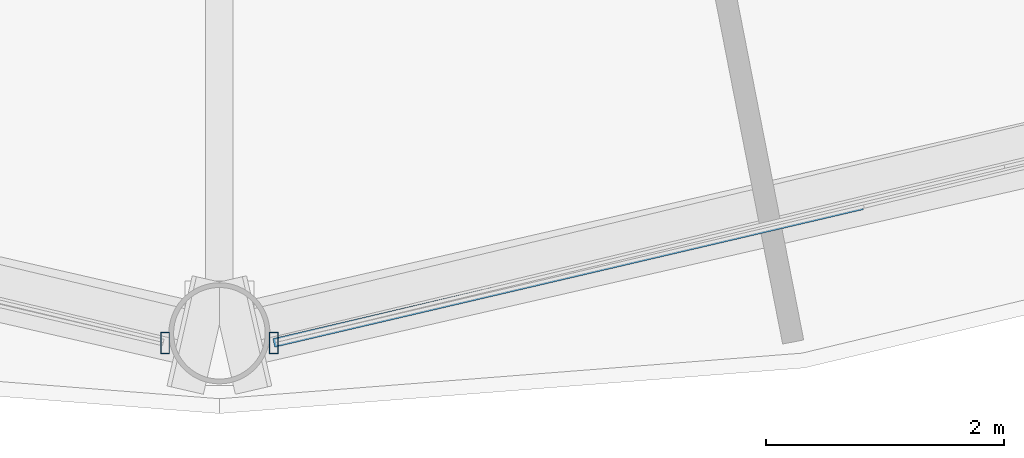
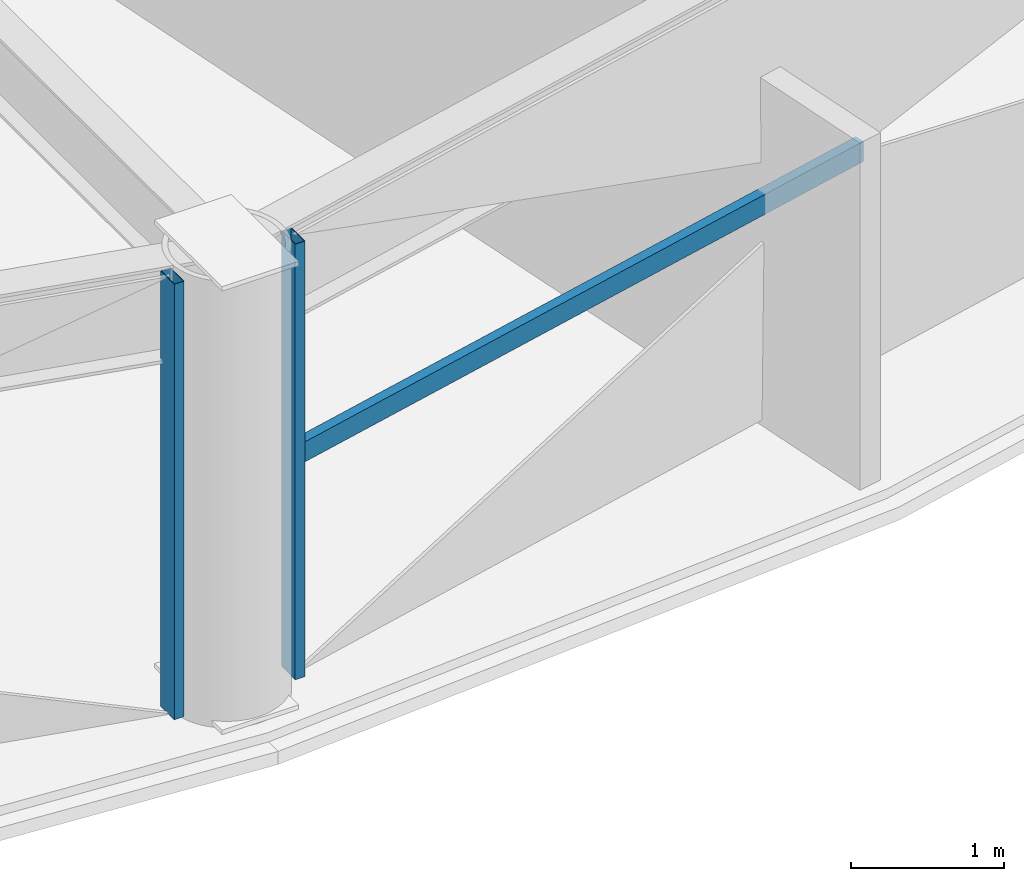
# One storey, part 4 of 33: 3 members, 2 elements without a shape of their own.
"""IFC4 building model written with IfcOpenShell, lengths in metres."""

from ifc_helpers import new_model, si_unit, direction, frame, origin, origin_2d, place, context, subcontext, project, spatial, hollow_rectangle, extrude, material, layer, layer_set, material_profile, profile_set, type_object, element, aggregate, save


model = new_model("IFC4")

# Units and contexts
model_context = context("Model", 3, precision=1e-05, world=origin(), true_north=direction((0.0, 1.0)))
body_context = subcontext(model_context, "Body", "Model", "MODEL_VIEW")
ifc_project = project(units=[si_unit("LENGTHUNIT", "METRE"), si_unit("AREAUNIT", "SQUARE_METRE"), si_unit("VOLUMEUNIT", "CUBIC_METRE"), si_unit("PLANEANGLEUNIT", "RADIAN"), si_unit("MASSUNIT", "GRAM", prefix="KILO")], contexts=[model_context])

# Site, building, storey
site_placement = place(None, origin())
site = spatial("IfcSite", under=ifc_project, at=site_placement, CompositionType="ELEMENT")
building_placement = place(site_placement, origin())
building = spatial("IfcBuilding", under=site, at=building_placement, Name="Vantalir Tower", CompositionType="ELEMENT")
storey_placement = place(building_placement, frame((0.0, 0.0, 72.0)))
storey = spatial("IfcBuildingStorey", under=building, at=storey_placement, Name="L17", CompositionType="ELEMENT", Elevation=72.0)

# Curtain wall, member
ifc_material_1 = material(Name="Champagne-silver PVDF aluminium and double-silver Low-E glass", Category="aluminium")
ifc_layer = layer(ifc_material_1, 0.18994140625)
ifc_layer_set = layer_set([ifc_layer], Name="Champagne-silver PVDF aluminium and double-silver Low-E glass")
curtain_wall_type = type_object("IfcCurtainWallType", Name="CW-DIAMOND-Z1", PredefinedType="USERDEFINED", material=ifc_layer_set)
curtain_wall_1_placement = place(storey_placement, origin())
curtain_wall_1 = element("IfcCurtainWall", 1, at=curtain_wall_1_placement, inside=storey, type_object=curtain_wall_type, Name="L17 Quilted Pyramid-Diamond Curtain Wall S09", ObjectType="UNITISED CURTAIN WALL", PredefinedType="USERDEFINED")
ifc_material_2 = material(Name="Champagne-silver PVDF aluminium 6063-T6", Category="aluminium")
ifc_material_profile_1 = material_profile(ifc_material_2, hollow_rectangle(XDim=0.074951171875, YDim=0.179931640625, WallThickness=0.00390625, at=origin_2d()), Name="Champagne-silver PVDF aluminium 6063-T6")
ifc_profile_set_1 = profile_set([ifc_material_profile_1], Name="Champagne-silver PVDF aluminium 6063-T6")
member_type_1 = type_object("IfcMemberType", Name="CWM-180x75", PredefinedType="MULLION", material=ifc_profile_set_1)
member_1_placement = place(storey_placement, frame((31.04296875, 0.2900390625, 0.044921875), z_axis=(0.0, 0.0, 1.0), x_axis=(1.0, 0.0, 0.0)))
member_1 = element("IfcMember", 2, at=member_1_placement, type_object=member_type_1, Name="CW-L17-S09 Mullion 2", PredefinedType="MULLION", context=body_context, shape_type="SweptSolid", body=[
    extrude(hollow_rectangle(XDim=0.074951171875, YDim=0.179931640625, WallThickness=0.00390625, at=origin_2d()), origin(), (0.0, 0.0, 1.0), 3.47998046875),
])
aggregate(curtain_wall_1, [member_1])

# Curtain wall, members
curtain_wall_2_placement = place(storey_placement, origin())
curtain_wall_2 = element("IfcCurtainWall", 3, at=curtain_wall_2_placement, inside=storey, type_object=curtain_wall_type, Name="L17 Quilted Pyramid-Diamond Curtain Wall S10", ObjectType="UNITISED CURTAIN WALL", PredefinedType="USERDEFINED")
member_2_placement = place(storey_placement, frame((31.95703125, 0.2900390625, 0.044921875), z_axis=(0.0, 0.0, 1.0), x_axis=(1.0, 0.0, 0.0)))
member_2 = element("IfcMember", 4, at=member_2_placement, type_object=member_type_1, Name="CW-L17-S10 Mullion 1", PredefinedType="MULLION", context=body_context, shape_type="SweptSolid", body=[
    extrude(hollow_rectangle(XDim=0.074951171875, YDim=0.179931640625, WallThickness=0.00390625, at=origin_2d()), origin(), (0.0, 0.0, 1.0), 3.47998046875),
])
ifc_material_profile_2 = material_profile(ifc_material_2, hollow_rectangle(XDim=0.074951171875, YDim=0.159912109375, WallThickness=0.00390625, at=origin_2d()), Name="Champagne-silver PVDF aluminium 6063-T6")
ifc_profile_set_2 = profile_set([ifc_material_profile_2], Name="Champagne-silver PVDF aluminium 6063-T6")
member_type_2 = type_object("IfcMemberType", Name="CWT-160x75", PredefinedType="USERDEFINED", material=ifc_profile_set_2)
member_3_placement = place(storey_placement, frame((31.95703125, 0.2900390625, 1.784912109375), z_axis=(0.973734430694, 0.227686755171, 0.0), x_axis=(-0.227686755171, 0.973734430694, 0.0)))
member_3 = element("IfcMember", 5, at=member_3_placement, type_object=member_type_2, Name="CW-L17-S10 Pyramid Fold Ridge Transom", ObjectType="TRANSOM", PredefinedType="USERDEFINED", context=body_context, shape_type="SweptSolid", body=[
    extrude(hollow_rectangle(XDim=0.074951171875, YDim=0.159912109375, WallThickness=0.00390625, at=origin_2d()), origin(), (0.0, 0.0, 1.0), 5.08154296875),
])
aggregate(curtain_wall_2, [member_2, member_3])

save(model, "model.ifc")
